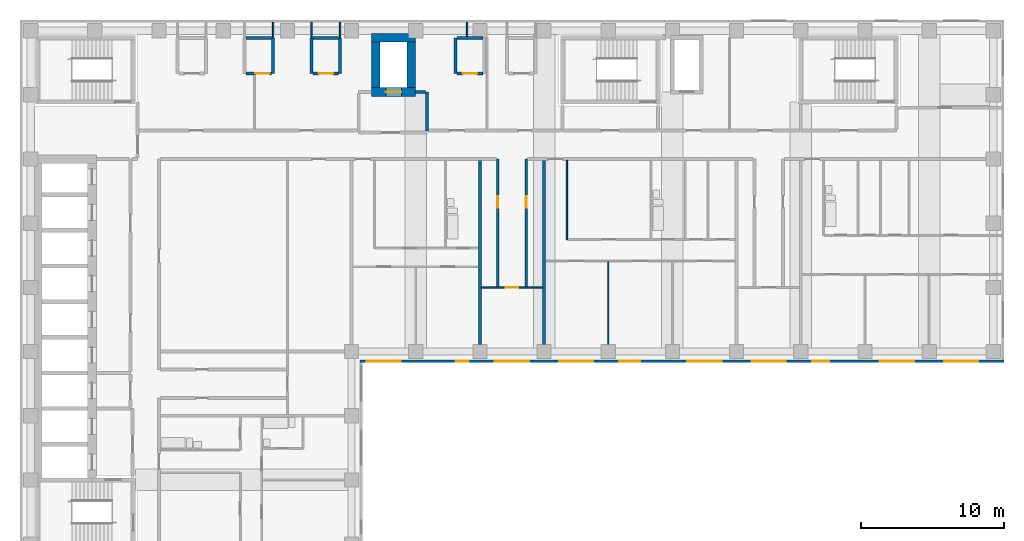
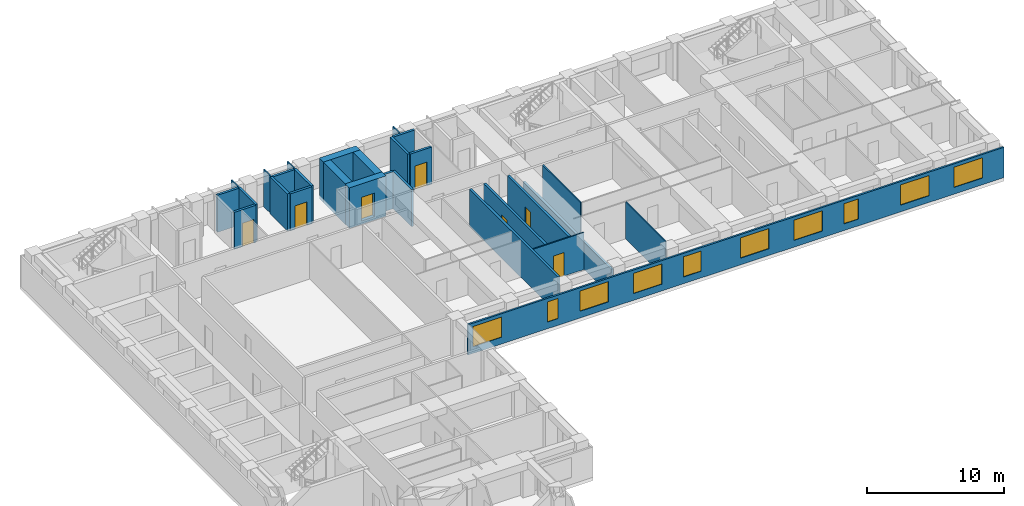
# One storey, part 6 of 12: 28 walls, 10 windows, 7 doors, 17 openings.
"""IFC4 building model written with IfcOpenShell, lengths in metres."""

import ifcopenshell
import ifcopenshell.guid

model = None  # the IFC model being written
_history = None  # IfcOwnerHistory: only IFC2X3 demands one
_inside = {}  # id of a spatial element -> (the spatial element, [elements in it])
_under = {}  # id of a project, library or spatial element -> (it, [spatial elements below it])
_declared = {}  # id of a project -> (the project, [libraries it declares])
_typed = {}  # id of a type object -> (the type object, [elements of that type])
_made_of = {}  # id of a material, layer set ... -> (it, [elements and type objects made of it])


def new_model(schema):
    """Start an empty IFC model of exactly this schema.

    Asked for "IFC4X3", IfcOpenShell would pick the latest addendum, in which some entities
    have other attributes; the version numbers below select the first issue.
    IFC2X3 requires an IfcOwnerHistory on every rooted entity: one is made here for all.
    """
    global model, _history
    if schema == "IFC4X3":
        model = ifcopenshell.file(schema_version=(4, 3, 0, 0))
    else:
        model = ifcopenshell.file(schema=schema)
    _inside.clear()
    _under.clear()
    _declared.clear()
    _typed.clear()
    _made_of.clear()
    _history = None
    if model.schema == "IFC2X3":
        org = make("IfcOrganization", Name="unknown")
        user = make(
            "IfcPersonAndOrganization",
            ThePerson=make("IfcPerson", FamilyName="unknown"),
            TheOrganization=org,
        )
        app = make(
            "IfcApplication",
            ApplicationDeveloper=org,
            Version="unknown",
            ApplicationFullName="unknown",
            ApplicationIdentifier="unknown",
        )
        _history = make(
            "IfcOwnerHistory",
            OwningUser=user,
            OwningApplication=app,
            ChangeAction="ADDED",
            CreationDate=0,
        )
    return model


def make(cls, **values):
    """One entity of the class cls with the attributes given. An attribute that is None is left unset."""
    return model.create_entity(
        cls, **{name: value for name, value in values.items() if value is not None}
    )


def rooted(cls, **values):
    """An entity with a GlobalId (a new one), such as an element, a storey or a relation."""
    return make(cls, GlobalId=ifcopenshell.guid.new(), OwnerHistory=_history, **values)


def si_unit(unit_type, name, prefix=None):
    """IfcSIUnit, for example si_unit("LENGTHUNIT", "METRE", prefix="MILLI")."""
    return make("IfcSIUnit", UnitType=unit_type, Prefix=prefix, Name=name)


def assignment(units):
    """IfcUnitAssignment: the units of a project."""
    return None if units is None else make("IfcUnitAssignment", Units=units)


def point(xyz):
    """IfcCartesianPoint."""
    return None if xyz is None else make("IfcCartesianPoint", Coordinates=xyz)


def direction(xyz):
    """IfcDirection."""
    return None if xyz is None else make("IfcDirection", DirectionRatios=xyz)


def frame(location, z_axis=None, x_axis=None):
    """IfcAxis2Placement3D, a coordinate frame: its origin and axes. An axis left out is left unset."""
    return make(
        "IfcAxis2Placement3D",
        Location=point(location),
        Axis=direction(z_axis),
        RefDirection=direction(x_axis),
    )


def frame_2d(location, x_axis=None):
    """IfcAxis2Placement2D, a coordinate frame in the plane: its origin and x axis."""
    return make(
        "IfcAxis2Placement2D", Location=point(location), RefDirection=direction(x_axis)
    )


def origin():
    """The frame at (0, 0, 0) with its axes left unset."""
    return frame((0.0, 0.0, 0.0))


def place(relative_to, where):
    """IfcLocalPlacement: puts the frame where relative to a parent placement (None: the world)."""
    return make(
        "IfcLocalPlacement", PlacementRelTo=relative_to, RelativePlacement=where
    )


def context(
    kind, dimensions, precision=None, world=None, true_north=None, identifier=None
):
    """IfcGeometricRepresentationContext, for example the 3D "Model" context."""
    return make(
        "IfcGeometricRepresentationContext",
        ContextIdentifier=identifier,
        ContextType=kind,
        CoordinateSpaceDimension=dimensions,
        Precision=precision,
        WorldCoordinateSystem=world,
        TrueNorth=true_north,
    )


def subcontext(parent, identifier, kind, view, scale=None):
    """IfcGeometricRepresentationSubContext, for example "Body" below "Model"."""
    return make(
        "IfcGeometricRepresentationSubContext",
        ContextIdentifier=identifier,
        ContextType=kind,
        ParentContext=parent,
        TargetScale=scale,
        TargetView=view,
    )


def project(units=None, contexts=None):
    """IfcProject with its units and contexts."""
    return rooted(
        "IfcProject",
        Name="project",
        RepresentationContexts=contexts,
        UnitsInContext=assignment(units),
    )


def spatial(cls, under=None, at=None, **own):
    """A site, building, storey or space (cls), placed at a placement, below another one or the project."""
    s = rooted(cls, ObjectPlacement=at, **own)
    if under is not None:
        _under.setdefault(under.id(), (under, []))[1].append(s)
    return s


def profile(cls, at=None, kind="AREA", **sizes):
    """A parametric profile (cls). Its sizes go by their IFC names, for example OverallWidth=200.0."""
    return make(cls, ProfileType=kind, Position=at, **sizes)


def rectangle(**sizes):
    """IfcRectangleProfileDef."""
    return profile("IfcRectangleProfileDef", **sizes)


def extrude(swept, where, along, depth):
    """IfcExtrudedAreaSolid: the profile swept, set in the frame where, extruded along a direction by depth."""
    return make(
        "IfcExtrudedAreaSolid",
        SweptArea=swept,
        Position=where,
        ExtrudedDirection=direction(along),
        Depth=depth,
    )


def shape(context_of_items, identifier, shape_type, items):
    """IfcShapeRepresentation: the items that make up one representation, for example the "Body"."""
    return make(
        "IfcShapeRepresentation",
        ContextOfItems=context_of_items,
        RepresentationIdentifier=identifier,
        RepresentationType=shape_type,
        Items=items,
    )


def material(Name=None, Category=None):
    """IfcMaterial."""
    return make("IfcMaterial", Name=Name, Category=Category)


def layer(
    of_material, thickness, ventilated=None, Name=None, Category=None, Priority=None
):
    """IfcMaterialLayer: one layer of a wall or slab, of a material (None: an air gap)."""
    return make(
        "IfcMaterialLayer",
        Material=of_material,
        LayerThickness=thickness,
        IsVentilated=ventilated,
        Name=Name,
        Category=Category,
        Priority=Priority,
    )


def layer_set(layers, Name=None):
    """IfcMaterialLayerSet."""
    return make("IfcMaterialLayerSet", MaterialLayers=layers, LayerSetName=Name)


def made_of(thing, what):
    """Note that an element or type object is made of a material, layer set ...; save() writes the relation."""
    if what is not None:
        _made_of.setdefault(what.id(), (what, []))[1].append(thing)
    return thing


def type_object(cls, material=None, **own):
    """A type object (cls), such as IfcWallType, which elements share."""
    return made_of(rooted(cls, **own), material)


def element(
    cls,
    number,
    at=None,
    inside=None,
    cuts=None,
    type_object=None,
    material=None,
    context=None,
    identifier="Body",
    shape_type=None,
    held_by="IfcProductDefinitionShape",
    body=None,
    shapes=None,
    **own,
):
    """One element of the class cls, such as IfcWall. Its Tag is "e" and its number.

    at: its placement. inside: the storey or other place that contains it. cuts: it is an
    opening in that element (IfcRelVoidsElement). A single representation is given by context,
    identifier, shape_type and body (its items); several are given by shapes. held_by: the class
    of the entity that holds the representations. save() writes the other relations.
    """
    e = rooted(cls, Tag="e%d" % number, ObjectPlacement=at, **own)
    if body is not None:
        shapes = [shape(context, identifier, shape_type, body)]
    if shapes is not None:
        e.Representation = make(held_by, Representations=shapes)
    if inside is not None:
        _inside.setdefault(inside.id(), (inside, []))[1].append(e)
    if cuts is not None:
        rooted(
            "IfcRelVoidsElement", RelatingBuildingElement=cuts, RelatedOpeningElement=e
        )
    if type_object is not None:
        _typed.setdefault(type_object.id(), (type_object, []))[1].append(e)
    return made_of(e, material)


def fill(opening, filler):
    """IfcRelFillsElement: the door or window that sits in an opening."""
    return rooted(
        "IfcRelFillsElement",
        RelatingOpeningElement=opening,
        RelatedBuildingElement=filler,
    )


def aggregate(whole, parts):
    """IfcRelAggregates: a whole, such as a stair, and the parts it consists of."""
    return rooted("IfcRelAggregates", RelatingObject=whole, RelatedObjects=parts)


def save(model, path):
    """Write the relations noted so far, then the file.

    IfcRelAggregates (storeys below a building ...), IfcRelContainedInSpatialStructure (elements
    in a storey), IfcRelDefinesByType, IfcRelAssociatesMaterial and IfcRelDeclares: one each for
    every whole, place, type object, material and project.
    """
    for whole, parts in _under.values():
        aggregate(whole, parts)
    for where, things in _inside.values():
        rooted(
            "IfcRelContainedInSpatialStructure",
            RelatedElements=things,
            RelatingStructure=where,
        )
    for kind, things in _typed.values():
        rooted("IfcRelDefinesByType", RelatedObjects=things, RelatingType=kind)
    for what, things in _made_of.values():
        rooted("IfcRelAssociatesMaterial", RelatedObjects=things, RelatingMaterial=what)
    for by, libraries in _declared.values():
        rooted("IfcRelDeclares", RelatingContext=by, RelatedDefinitions=libraries)
    model.write(path)


model = new_model("IFC4")

# Units and contexts
model_context = context("Model", 3, precision=1e-05, world=origin(), true_north=direction((0.0, 1.0)))
body_context = subcontext(model_context, "Body", "Model", "MODEL_VIEW")
ifc_project = project(units=[si_unit("LENGTHUNIT", "METRE"), si_unit("AREAUNIT", "SQUARE_METRE"), si_unit("VOLUMEUNIT", "CUBIC_METRE"), si_unit("PLANEANGLEUNIT", "RADIAN"), si_unit("MASSUNIT", "GRAM", prefix="KILO")], contexts=[model_context])

# Site, building, storey
site_placement = place(None, origin())
site = spatial("IfcSite", under=ifc_project, at=site_placement, CompositionType="ELEMENT")
building_placement = place(site_placement, origin())
building = spatial("IfcBuilding", under=site, at=building_placement, Name="Firuza Court", CompositionType="ELEMENT")
storey_placement = place(building_placement, frame((0.0, 0.0, 148.39990234375)))
storey = spatial("IfcBuildingStorey", under=building, at=storey_placement, Name="L37", CompositionType="ELEMENT", Elevation=148.39990234375)

# Wall, opening, door
ifc_material_1 = material(Name="Concrete C60/75", Category="concrete")
ifc_layer_1 = layer(ifc_material_1, 0.60009765625)
ifc_layer_set_1 = layer_set([ifc_layer_1], Name="Concrete C60/75")
wall_type_1 = type_object("IfcWallType", Name="Core wall 600 C60/75", PredefinedType="SHEAR", material=ifc_layer_set_1)
wall_1_placement = place(storey_placement, frame((23.89990234375, 54.199951171875, -0.2998046875), z_axis=(0.0, 0.0, 1.0), x_axis=(1.0, 0.0, 0.0)))
wall_1 = element("IfcWall", 1, at=wall_1_placement, inside=storey, type_object=wall_type_1, Name="Core wall lift shaft L37", PredefinedType="SHEAR", context=body_context, shape_type="SweptSolid", body=[
    extrude(rectangle(XDim=3.10009765625, YDim=0.60009765625, at=frame_2d((1.550048828125, 0.0))), origin(), (0.0, 0.0, 1.0), 3.599853515625),
])
opening_1_placement = place(wall_1_placement, frame((1.0, 0.0, 0.300048828125)))
opening_1 = element("IfcOpeningElement", 2, at=opening_1_placement, cuts=wall_1, Name="Opening LD-FL3-37", PredefinedType="OPENING", context=body_context, shape_type="SweptSolid", body=[
    extrude(rectangle(XDim=1.10009765625, YDim=2.10009765625, at=frame_2d((0.550048828125, 1.050048828125))), frame((0.0, 0.31201171875, 0.0), z_axis=(0.0, -1.0, 0.0), x_axis=(1.0, 0.0, 0.0)), (0.0, 0.0, 1.0), 0.6240234375),
])
ifc_material_2 = material(Name="Stainless steel 1.4301 door leaf", Category="steel")
door_type_1 = type_object("IfcDoorType", Name="Lift landing door 1100", OperationType="SLIDING_TO_LEFT", PredefinedType="DOOR", material=ifc_material_2)
door_1_placement = place(opening_1_placement, origin())
door_1 = element("IfcDoor", 3, at=door_1_placement, inside=storey, type_object=door_type_1, Name="Landing door FL3", OperationType="SLIDING_TO_LEFT", OverallHeight=2.10009765625, OverallWidth=1.10009765625, PredefinedType="DOOR", context=body_context, shape_type="SweptSolid", body=[
    extrude(rectangle(XDim=1.10009765625, YDim=2.10009765625, at=frame_2d((0.550048828125, 1.050048828125))), frame((0.0, 0.02490234375, 0.0), z_axis=(0.0, -1.0, 0.0), x_axis=(1.0, 0.0, 0.0)), (0.0, 0.0, 1.0), 0.050048828125),
])
fill(opening_1, door_1)

# Walls
wall_2_placement = place(storey_placement, frame((23.89990234375, 58.0, -0.2998046875), z_axis=(0.0, 0.0, 1.0), x_axis=(1.0, 0.0, 0.0)))
element("IfcWall", 4, at=wall_2_placement, inside=storey, type_object=wall_type_1, Name="Core wall lift shaft L37", PredefinedType="SHEAR", context=body_context, shape_type="SweptSolid", body=[
    extrude(rectangle(XDim=3.10009765625, YDim=0.60009765625, at=frame_2d((1.550048828125, 0.0))), origin(), (0.0, 0.0, 1.0), 3.599853515625),
])
for number, where, z_axis, x_axis, name in (
    (5, (24.199951171875, 54.5, -0.2998046875), (0.0, 0.0, 1.0), (0.0, 1.0, 0.0), "Core wall lift shaft L37"),
    (6, (26.699951171875, 54.5, -0.2998046875), (0.0, 0.0, 1.0), (0.0, 1.0, 0.0), "Core wall lift shaft L37"),
):
    element("IfcWall", number, at=place(storey_placement, frame(where, z_axis=z_axis, x_axis=x_axis)), inside=storey, type_object=wall_type_1, Name=name, PredefinedType="SHEAR", context=body_context, shape_type="SweptSolid", body=[
        extrude(rectangle(XDim=3.199951171875, YDim=0.60009765625, at=frame_2d((1.60009765625, 0.0))), origin(), (0.0, 0.0, 1.0), 3.599853515625),
    ])

# Wall, opening, door
ifc_material_3 = material(Name="Blockwork, plastered both sides", Category="masonry")
ifc_layer_2 = layer(ifc_material_3, 0.199951171875)
ifc_layer_set_2 = layer_set([ifc_layer_2], Name="Blockwork, plastered both sides")
wall_type_2 = type_object("IfcWallType", Name="Corridor wall 200", PredefinedType="PARTITIONING", material=ifc_layer_set_2)
wall_3_placement = place(storey_placement, frame((32.75, 40.550048828125, 0.0), z_axis=(0.0, 0.0, 1.0), x_axis=(0.0, 1.0, 0.0)))
wall_3 = element("IfcWall", 7, at=wall_3_placement, inside=storey, type_object=wall_type_2, Name="Corridor wall 200 L37", PredefinedType="PARTITIONING", context=body_context, shape_type="SweptSolid", body=[
    extrude(rectangle(XDim=8.949951171875, YDim=0.199951171875, at=frame_2d((4.47509765625, 0.0))), origin(), (0.0, 0.0, 1.0), 3.300048828125),
])
opening_2_placement = place(wall_3_placement, frame((5.550048828125, 0.0, 0.0)))
opening_2 = element("IfcOpeningElement", 8, at=opening_2_placement, cuts=wall_3, Name="Opening D37044", PredefinedType="OPENING", context=body_context, shape_type="SweptSolid", body=[
    extrude(rectangle(XDim=0.800048828125, YDim=2.10009765625, at=frame_2d((0.39990234375, 1.050048828125))), frame((0.0, 0.11181640625, 0.0), z_axis=(0.0, -1.0, 0.0), x_axis=(1.0, 0.0, 0.0)), (0.0, 0.0, 1.0), 0.223876953125),
])
ifc_material_4 = material(Name="Timber door leaf in hardwood frame", Category="wood")
door_type_2 = type_object("IfcDoorType", Name="Room door 800 EI 30", OperationType="SINGLE_SWING_LEFT", PredefinedType="DOOR", material=ifc_material_4)
door_2_placement = place(opening_2_placement, origin())
door_2 = element("IfcDoor", 9, at=door_2_placement, inside=storey, type_object=door_type_2, Name="Store door", OperationType="SINGLE_SWING_RIGHT", OverallHeight=2.10009765625, OverallWidth=0.800048828125, PredefinedType="DOOR", context=body_context, shape_type="SweptSolid", body=[
    extrude(rectangle(XDim=0.800048828125, YDim=2.10009765625, at=frame_2d((0.39990234375, 1.050048828125))), frame((0.0, 0.02490234375, 0.0), z_axis=(0.0, -1.0, 0.0), x_axis=(1.0, 0.0, 0.0)), (0.0, 0.0, 1.0), 0.050048828125),
])
fill(opening_2, door_2)

wall_4_placement = place(storey_placement, frame((34.75, 40.550048828125, 0.0), z_axis=(0.0, 0.0, 1.0), x_axis=(0.0, 1.0, 0.0)))
wall_4 = element("IfcWall", 10, at=wall_4_placement, inside=storey, type_object=wall_type_2, Name="Corridor wall 200 L37", PredefinedType="PARTITIONING", context=body_context, shape_type="SweptSolid", body=[
    extrude(rectangle(XDim=8.949951171875, YDim=0.199951171875, at=frame_2d((4.47509765625, 0.0))), origin(), (0.0, 0.0, 1.0), 3.300048828125),
])
opening_3_placement = place(wall_4_placement, frame((5.550048828125, 0.0, 0.0)))
opening_3 = element("IfcOpeningElement", 11, at=opening_3_placement, cuts=wall_4, Name="Opening D37045", PredefinedType="OPENING", context=body_context, shape_type="SweptSolid", body=[
    extrude(rectangle(XDim=0.800048828125, YDim=2.10009765625, at=frame_2d((0.39990234375, 1.050048828125))), frame((0.0, 0.11181640625, 0.0), z_axis=(0.0, -1.0, 0.0), x_axis=(1.0, 0.0, 0.0)), (0.0, 0.0, 1.0), 0.223876953125),
])
door_3_placement = place(opening_3_placement, frame((0.800048828125, 0.0, 0.0), z_axis=(0.0, 0.0, 1.0), x_axis=(-1.0, 0.0, 0.0)))
door_3 = element("IfcDoor", 12, at=door_3_placement, inside=storey, type_object=door_type_2, Name="Store door", OperationType="SINGLE_SWING_LEFT", OverallHeight=2.10009765625, OverallWidth=0.800048828125, PredefinedType="DOOR", context=body_context, shape_type="SweptSolid", body=[
    extrude(rectangle(XDim=0.800048828125, YDim=2.10009765625, at=frame_2d((0.39990234375, 1.050048828125))), frame((0.0, 0.02490234375, 0.0), z_axis=(0.0, -1.0, 0.0), x_axis=(1.0, 0.0, 0.0)), (0.0, 0.0, 1.0), 0.050048828125),
])
fill(opening_3, door_3)

# Wall
ifc_material_5 = material(Name="Timber stud partition, plasterboard both sides", Category="wood")
ifc_layer_3 = layer(ifc_material_5, 0.10009765625)
ifc_layer_set_3 = layer_set([ifc_layer_3], Name="Timber stud partition, plasterboard both sides")
wall_type_3 = type_object("IfcWallType", Name="Partition wall 100", PredefinedType="PARTITIONING", material=ifc_layer_set_3)
wall_5_placement = place(storey_placement, frame((40.5, 36.5, 0.0), z_axis=(0.0, 0.0, 1.0), x_axis=(0.0, 1.0, 0.0)))
element("IfcWall", 13, at=wall_5_placement, inside=storey, type_object=wall_type_3, Name="Partition wall 100 L37", PredefinedType="PARTITIONING", context=body_context, shape_type="SweptSolid", body=[
    extrude(rectangle(XDim=5.800048828125, YDim=0.10009765625, at=frame_2d((2.89990234375, 0.0))), origin(), (0.0, 0.0, 1.0), 3.300048828125),
])

# Wall, opening, door
wall_6_placement = place(storey_placement, frame((31.60009765625, 40.5, 0.0), z_axis=(0.0, 0.0, 1.0), x_axis=(1.0, 0.0, 0.0)))
wall_6 = element("IfcWall", 14, at=wall_6_placement, inside=storey, type_object=wall_type_3, Name="Partition wall 100 L37", PredefinedType="PARTITIONING", context=body_context, shape_type="SweptSolid", body=[
    extrude(rectangle(XDim=4.2998046875, YDim=0.10009765625, at=frame_2d((2.14990234375, 0.0))), origin(), (0.0, 0.0, 1.0), 3.300048828125),
])
opening_4_placement = place(wall_6_placement, frame((1.699951171875, 0.0, 0.0)))
opening_4 = element("IfcOpeningElement", 15, at=opening_4_placement, cuts=wall_6, Name="Opening D37042", PredefinedType="OPENING", context=body_context, shape_type="SweptSolid", body=[
    extrude(rectangle(XDim=0.89990234375, YDim=2.10009765625, at=frame_2d((0.449951171875, 1.050048828125))), frame((0.0, 0.06201171875, 0.0), z_axis=(0.0, -1.0, 0.0), x_axis=(1.0, 0.0, 0.0)), (0.0, 0.0, 1.0), 0.1240234375),
])
ifc_material_6 = material(Name="Timber door leaf in hardwood frame", Category="wood")
door_type_3 = type_object("IfcDoorType", Name="Room door 900", OperationType="SINGLE_SWING_LEFT", PredefinedType="DOOR", material=ifc_material_6)
door_4_placement = place(opening_4_placement, origin())
door_4 = element("IfcDoor", 16, at=door_4_placement, inside=storey, type_object=door_type_3, Name="Games lounge door", OperationType="SINGLE_SWING_LEFT", OverallHeight=2.10009765625, OverallWidth=0.89990234375, PredefinedType="DOOR", context=body_context, shape_type="SweptSolid", body=[
    extrude(rectangle(XDim=0.89990234375, YDim=2.10009765625, at=frame_2d((0.449951171875, 1.050048828125))), frame((0.0, 0.02490234375, 0.0), z_axis=(0.0, -1.0, 0.0), x_axis=(1.0, 0.0, 0.0)), (0.0, 0.0, 1.0), 0.050048828125),
])
fill(opening_4, door_4)

# Walls
wall_7_placement = place(storey_placement, frame((37.60009765625, 43.85009765625, 0.0), z_axis=(0.0, 0.0, 1.0), x_axis=(0.0, 1.0, 0.0)))
element("IfcWall", 17, at=wall_7_placement, inside=storey, type_object=wall_type_3, Name="Partition wall 100 L37", PredefinedType="PARTITIONING", context=body_context, shape_type="SweptSolid", body=[
    extrude(rectangle(XDim=5.5498046875, YDim=0.10009765625, at=frame_2d((2.77490234375, 0.0))), origin(), (0.0, 0.0, 1.0), 3.300048828125),
])
for number, where, z_axis, x_axis, name in (
    (18, (17.0, 58.0, 0.0), (0.0, 0.0, 1.0), (0.0, 1.0, 0.0), "Partition wall 100 L37"),
    (19, (19.699951171875, 58.0, 0.0), (0.0, 0.0, 1.0), (0.0, 1.0, 0.0), "Partition wall 100 L37"),
    (20, (21.699951171875, 58.0, 0.0), (0.0, 0.0, 1.0), (0.0, 1.0, 0.0), "Partition wall 100 L37"),
):
    element("IfcWall", number, at=place(storey_placement, frame(where, z_axis=z_axis, x_axis=x_axis)), inside=storey, type_object=wall_type_3, Name=name, PredefinedType="PARTITIONING", context=body_context, shape_type="SweptSolid", body=[
        extrude(rectangle(XDim=1.10009765625, YDim=0.10009765625, at=frame_2d((0.550048828125, 0.0))), origin(), (0.0, 0.0, 1.0), 3.300048828125),
    ])
wall_8_placement = place(storey_placement, frame((30.60009765625, 58.10009765625, 0.0), z_axis=(0.0, 0.0, 1.0), x_axis=(0.0, 1.0, 0.0)))
element("IfcWall", 21, at=wall_8_placement, inside=storey, type_object=wall_type_3, Name="Partition wall 100 L37", PredefinedType="PARTITIONING", context=body_context, shape_type="SweptSolid", body=[
    extrude(rectangle(XDim=1.0, YDim=0.10009765625, at=frame_2d((0.5, 0.0))), origin(), (0.0, 0.0, 1.0), 3.300048828125),
])
ifc_layer_4 = layer(ifc_material_3, 0.199951171875)
ifc_layer_set_4 = layer_set([ifc_layer_4], Name="Blockwork, plastered both sides")
wall_type_4 = type_object("IfcWallType", Name="Party wall 200", PredefinedType="PARTITIONING", material=ifc_layer_set_4)
wall_9_placement = place(storey_placement, frame((31.5, 36.5, 0.0), z_axis=(0.0, 0.0, 1.0), x_axis=(0.0, 1.0, 0.0)))
element("IfcWall", 22, at=wall_9_placement, inside=storey, type_object=wall_type_4, Name="Party wall 200 L37", PredefinedType="PARTITIONING", context=body_context, shape_type="SweptSolid", body=[
    extrude(rectangle(XDim=12.89990234375, YDim=0.199951171875, at=frame_2d((6.449951171875, 0.0))), origin(), (0.0, 0.0, 1.0), 3.300048828125),
])
wall_10_placement = place(storey_placement, frame((36.0, 36.5, 0.0), z_axis=(0.0, 0.0, 1.0), x_axis=(0.0, 1.0, 0.0)))
element("IfcWall", 23, at=wall_10_placement, inside=storey, type_object=wall_type_4, Name="Party wall 200 L37", PredefinedType="PARTITIONING", context=body_context, shape_type="SweptSolid", body=[
    extrude(rectangle(XDim=12.89990234375, YDim=0.199951171875, at=frame_2d((6.449951171875, 0.0))), origin(), (0.0, 0.0, 1.0), 2.400146484375),
])

# Wall, opening, door
ifc_material_7 = material(Name="Blockwork, fire-rated", Category="masonry")
ifc_layer_5 = layer(ifc_material_7, 0.199951171875)
ifc_layer_set_5 = layer_set([ifc_layer_5], Name="Blockwork, fire-rated")
wall_type_5 = type_object("IfcWallType", Name="Plant room wall 200", PredefinedType="PARTITIONING", material=ifc_layer_set_5)
wall_11_placement = place(storey_placement, frame((15.10009765625, 55.5, 0.0), z_axis=(0.0, 0.0, 1.0), x_axis=(1.0, 0.0, 0.0)))
wall_11 = element("IfcWall", 24, at=wall_11_placement, inside=storey, type_object=wall_type_5, Name="Plant room wall 200 L37", PredefinedType="PARTITIONING", context=body_context, shape_type="SweptSolid", body=[
    extrude(rectangle(XDim=1.7998046875, YDim=0.199951171875, at=frame_2d((0.89990234375, 0.0))), origin(), (0.0, 0.0, 1.0), 3.300048828125),
])
opening_5_placement = place(wall_11_placement, frame((0.64990234375, 0.0, 0.0)))
opening_5 = element("IfcOpeningElement", 25, at=opening_5_placement, cuts=wall_11, Name="Opening D37078", PredefinedType="OPENING", context=body_context, shape_type="SweptSolid", body=[
    extrude(rectangle(XDim=1.0, YDim=2.10009765625, at=frame_2d((0.5, 1.050048828125))), frame((0.0, 0.11181640625, 0.0), z_axis=(0.0, -1.0, 0.0), x_axis=(1.0, 0.0, 0.0)), (0.0, 0.0, 1.0), 0.223876953125),
])
ifc_material_8 = material(Name="Timber door leaf in hardwood frame", Category="wood")
door_type_4 = type_object("IfcDoorType", Name="Riser door 1000", OperationType="SINGLE_SWING_LEFT", PredefinedType="DOOR", material=ifc_material_8)
door_5_placement = place(opening_5_placement, origin())
door_5 = element("IfcDoor", 26, at=door_5_placement, inside=storey, type_object=door_type_4, Name="Electrical riser door", OperationType="SINGLE_SWING_RIGHT", OverallHeight=2.10009765625, OverallWidth=1.0, PredefinedType="DOOR", context=body_context, shape_type="SweptSolid", body=[
    extrude(rectangle(XDim=1.0, YDim=2.10009765625, at=frame_2d((0.5, 1.050048828125))), frame((0.0, 0.02490234375, 0.0), z_axis=(0.0, -1.0, 0.0), x_axis=(1.0, 0.0, 0.0)), (0.0, 0.0, 1.0), 0.050048828125),
])
fill(opening_5, door_5)

# Walls
for number, where, z_axis, x_axis, name in (
    (27, (17.0, 55.5, 0.0), (0.0, 0.0, 1.0), (0.0, 1.0, 0.0), "Plant room wall 200 L37"),
    (28, (19.699951171875, 55.5, 0.0), (0.0, 0.0, 1.0), (0.0, 1.0, 0.0), "Plant room wall 200 L37"),
):
    element("IfcWall", number, at=place(storey_placement, frame(where, z_axis=z_axis, x_axis=x_axis)), inside=storey, type_object=wall_type_5, Name=name, PredefinedType="PARTITIONING", context=body_context, shape_type="SweptSolid", body=[
        extrude(rectangle(XDim=2.5, YDim=0.199951171875, at=frame_2d((1.25, 0.0))), origin(), (0.0, 0.0, 1.0), 3.300048828125),
    ])

# Wall, opening, door
wall_12_placement = place(storey_placement, frame((19.800048828125, 55.5, 0.0), z_axis=(0.0, 0.0, 1.0), x_axis=(1.0, 0.0, 0.0)))
wall_12 = element("IfcWall", 29, at=wall_12_placement, inside=storey, type_object=wall_type_5, Name="Plant room wall 200 L37", PredefinedType="PARTITIONING", context=body_context, shape_type="SweptSolid", body=[
    extrude(rectangle(XDim=1.800048828125, YDim=0.199951171875, at=frame_2d((0.89990234375, 0.0))), origin(), (0.0, 0.0, 1.0), 3.300048828125),
])
opening_6_placement = place(wall_12_placement, frame((0.39990234375, 0.0, 0.0)))
opening_6 = element("IfcOpeningElement", 30, at=opening_6_placement, cuts=wall_12, Name="Opening D37079", PredefinedType="OPENING", context=body_context, shape_type="SweptSolid", body=[
    extrude(rectangle(XDim=1.0, YDim=2.10009765625, at=frame_2d((0.5, 1.050048828125))), frame((0.0, 0.11181640625, 0.0), z_axis=(0.0, -1.0, 0.0), x_axis=(1.0, 0.0, 0.0)), (0.0, 0.0, 1.0), 0.223876953125),
])
door_6_placement = place(opening_6_placement, origin())
door_6 = element("IfcDoor", 31, at=door_6_placement, inside=storey, type_object=door_type_4, Name="Duct riser door", OperationType="SINGLE_SWING_LEFT", OverallHeight=2.10009765625, OverallWidth=1.0, PredefinedType="DOOR", context=body_context, shape_type="SweptSolid", body=[
    extrude(rectangle(XDim=1.0, YDim=2.10009765625, at=frame_2d((0.5, 1.050048828125))), frame((0.0, 0.02490234375, 0.0), z_axis=(0.0, -1.0, 0.0), x_axis=(1.0, 0.0, 0.0)), (0.0, 0.0, 1.0), 0.050048828125),
])
fill(opening_6, door_6)

# Walls
for number, where, z_axis, x_axis, name in (
    (32, (21.699951171875, 55.5, 0.0), (0.0, 0.0, 1.0), (0.0, 1.0, 0.0), "Plant room wall 200 L37"),
    (33, (29.800048828125, 55.5, 0.0), (0.0, 0.0, 1.0), (0.0, 1.0, 0.0), "Plant room wall 200 L37"),
):
    element("IfcWall", number, at=place(storey_placement, frame(where, z_axis=z_axis, x_axis=x_axis)), inside=storey, type_object=wall_type_5, Name=name, PredefinedType="PARTITIONING", context=body_context, shape_type="SweptSolid", body=[
        extrude(rectangle(XDim=2.5, YDim=0.199951171875, at=frame_2d((1.25, 0.0))), origin(), (0.0, 0.0, 1.0), 3.300048828125),
    ])

# Wall, opening, door
wall_13_placement = place(storey_placement, frame((29.89990234375, 55.5, 0.0), z_axis=(0.0, 0.0, 1.0), x_axis=(1.0, 0.0, 0.0)))
wall_13 = element("IfcWall", 34, at=wall_13_placement, inside=storey, type_object=wall_type_5, Name="Plant room wall 200 L37", PredefinedType="PARTITIONING", context=body_context, shape_type="SweptSolid", body=[
    extrude(rectangle(XDim=1.800048828125, YDim=0.199951171875, at=frame_2d((0.89990234375, 0.0))), origin(), (0.0, 0.0, 1.0), 3.300048828125),
])
opening_7_placement = place(wall_13_placement, frame((0.39990234375, 0.0, 0.0)))
opening_7 = element("IfcOpeningElement", 35, at=opening_7_placement, cuts=wall_13, Name="Opening D37080", PredefinedType="OPENING", context=body_context, shape_type="SweptSolid", body=[
    extrude(rectangle(XDim=1.0, YDim=2.10009765625, at=frame_2d((0.5, 1.050048828125))), frame((0.0, 0.11181640625, 0.0), z_axis=(0.0, -1.0, 0.0), x_axis=(1.0, 0.0, 0.0)), (0.0, 0.0, 1.0), 0.223876953125),
])
door_7_placement = place(opening_7_placement, origin())
door_7 = element("IfcDoor", 36, at=door_7_placement, inside=storey, type_object=door_type_4, Name="Electrical riser door", OperationType="SINGLE_SWING_LEFT", OverallHeight=2.10009765625, OverallWidth=1.0, PredefinedType="DOOR", context=body_context, shape_type="SweptSolid", body=[
    extrude(rectangle(XDim=1.0, YDim=2.10009765625, at=frame_2d((0.5, 1.050048828125))), frame((0.0, 0.02490234375, 0.0), z_axis=(0.0, -1.0, 0.0), x_axis=(1.0, 0.0, 0.0)), (0.0, 0.0, 1.0), 0.050048828125),
])
fill(opening_7, door_7)

# Walls
wall_14_placement = place(storey_placement, frame((15.10009765625, 58.0, 0.0), z_axis=(0.0, 0.0, 1.0), x_axis=(1.0, 0.0, 0.0)))
element("IfcWall", 37, at=wall_14_placement, inside=storey, type_object=wall_type_5, Name="Plant room wall 200 L37", PredefinedType="PARTITIONING", context=body_context, shape_type="SweptSolid", body=[
    extrude(rectangle(XDim=1.7998046875, YDim=0.199951171875, at=frame_2d((0.89990234375, 0.0))), origin(), (0.0, 0.0, 1.0), 3.300048828125),
])
for number, where, z_axis, x_axis, name in (
    (38, (19.800048828125, 58.0, 0.0), (0.0, 0.0, 1.0), (1.0, 0.0, 0.0), "Plant room wall 200 L37"),
    (39, (29.89990234375, 58.0, 0.0), (0.0, 0.0, 1.0), (1.0, 0.0, 0.0), "Plant room wall 200 L37"),
):
    element("IfcWall", number, at=place(storey_placement, frame(where, z_axis=z_axis, x_axis=x_axis)), inside=storey, type_object=wall_type_5, Name=name, PredefinedType="PARTITIONING", context=body_context, shape_type="SweptSolid", body=[
        extrude(rectangle(XDim=1.800048828125, YDim=0.199951171875, at=frame_2d((0.89990234375, 0.0))), origin(), (0.0, 0.0, 1.0), 3.300048828125),
    ])

# Wall, openings, windows
ifc_material_9 = material(Name="Ceramic tile", Category="ceramic")
ifc_layer_6 = layer(ifc_material_9, 0.02001953125)
ifc_material_10 = material(Name="Mineral wool insulation", Category="insulation")
ifc_layer_7 = layer(ifc_material_10, 0.050048828125)
ifc_material_11 = material(Name="Concrete C40/50 precast", Category="concrete")
ifc_layer_8 = layer(ifc_material_11, 0.080078125)
ifc_layer_set_6 = layer_set([ifc_layer_6, ifc_layer_7, ifc_layer_8], Name="Concrete C40/50 precast")
wall_type_6 = type_object("IfcWallType", Name="Precast cladding wall with turquoise TILE PANEL face 150", PredefinedType="STANDARD", material=ifc_layer_set_6)
wall_15_placement = place(storey_placement, frame((23.10009765625, 35.324951171875, 0.0), z_axis=(0.0, 0.0, 1.0), x_axis=(1.0, 0.0, 0.0)))
wall_15 = element("IfcWall", 40, at=wall_15_placement, inside=storey, type_object=wall_type_6, Name="Facade wall L37 S", PredefinedType="STANDARD", context=body_context, shape_type="SweptSolid", body=[
    extrude(rectangle(XDim=45.14990234375, YDim=0.14990234375, at=frame_2d((22.574951171875, 0.0))), origin(), (0.0, 0.0, 1.0), 2.7001953125),
])
opening_8_placement = place(wall_15_placement, frame((0.449951171875, 0.0, 0.60009765625)))
opening_8 = element("IfcOpeningElement", 41, at=opening_8_placement, cuts=wall_15, Name="Opening W1", PredefinedType="OPENING", context=body_context, shape_type="SweptSolid", body=[
    extrude(rectangle(XDim=2.39990234375, YDim=1.800048828125, at=frame_2d((1.199951171875, 0.89990234375))), frame((0.0, 0.0869140625, 0.0), z_axis=(0.0, -1.0, 0.0), x_axis=(1.0, 0.0, 0.0)), (0.0, 0.0, 1.0), 0.173828125),
])
opening_9_placement = place(wall_15_placement, frame((6.7109375, 0.0, 0.60009765625)))
opening_9 = element("IfcOpeningElement", 42, at=opening_9_placement, cuts=wall_15, Name="Opening W3", PredefinedType="OPENING", context=body_context, shape_type="SweptSolid", body=[
    extrude(rectangle(XDim=0.89990234375, YDim=1.800048828125, at=frame_2d((0.449951171875, 0.89990234375))), frame((0.0, 0.0869140625, 0.0), z_axis=(0.0, -1.0, 0.0), x_axis=(1.0, 0.0, 0.0)), (0.0, 0.0, 1.0), 0.173828125),
])
opening_10_placement = place(wall_15_placement, frame((9.449951171875, 0.0, 0.60009765625)))
opening_10 = element("IfcOpeningElement", 43, at=opening_10_placement, cuts=wall_15, Name="Opening W1", PredefinedType="OPENING", context=body_context, shape_type="SweptSolid", body=[
    extrude(rectangle(XDim=2.39990234375, YDim=1.800048828125, at=frame_2d((1.199951171875, 0.89990234375))), frame((0.0, 0.0869140625, 0.0), z_axis=(0.0, -1.0, 0.0), x_axis=(1.0, 0.0, 0.0)), (0.0, 0.0, 1.0), 0.173828125),
])
opening_11_placement = place(wall_15_placement, frame((13.949951171875, 0.0, 0.60009765625)))
opening_11 = element("IfcOpeningElement", 44, at=opening_11_placement, cuts=wall_15, Name="Opening W1", PredefinedType="OPENING", context=body_context, shape_type="SweptSolid", body=[
    extrude(rectangle(XDim=2.39990234375, YDim=1.800048828125, at=frame_2d((1.199951171875, 0.89990234375))), frame((0.0, 0.0869140625, 0.0), z_axis=(0.0, -1.0, 0.0), x_axis=(1.0, 0.0, 0.0)), (0.0, 0.0, 1.0), 0.173828125),
])
opening_12_placement = place(wall_15_placement, frame((18.1533203125, 0.0, 0.60009765625)))
opening_12 = element("IfcOpeningElement", 45, at=opening_12_placement, cuts=wall_15, Name="Opening W2", PredefinedType="OPENING", context=body_context, shape_type="SweptSolid", body=[
    extrude(rectangle(XDim=1.5, YDim=1.800048828125, at=frame_2d((0.75, 0.89990234375))), frame((0.0, 0.0869140625, 0.0), z_axis=(0.0, -1.0, 0.0), x_axis=(1.0, 0.0, 0.0)), (0.0, 0.0, 1.0), 0.173828125),
])
opening_13_placement = place(wall_15_placement, frame((22.949951171875, 0.0, 0.60009765625)))
opening_13 = element("IfcOpeningElement", 46, at=opening_13_placement, cuts=wall_15, Name="Opening W1", PredefinedType="OPENING", context=body_context, shape_type="SweptSolid", body=[
    extrude(rectangle(XDim=2.39990234375, YDim=1.800048828125, at=frame_2d((1.199951171875, 0.89990234375))), frame((0.0, 0.0869140625, 0.0), z_axis=(0.0, -1.0, 0.0), x_axis=(1.0, 0.0, 0.0)), (0.0, 0.0, 1.0), 0.173828125),
])
opening_14_placement = place(wall_15_placement, frame((27.449951171875, 0.0, 0.60009765625)))
opening_14 = element("IfcOpeningElement", 47, at=opening_14_placement, cuts=wall_15, Name="Opening W1", PredefinedType="OPENING", context=body_context, shape_type="SweptSolid", body=[
    extrude(rectangle(XDim=2.39990234375, YDim=1.800048828125, at=frame_2d((1.199951171875, 0.89990234375))), frame((0.0, 0.0869140625, 0.0), z_axis=(0.0, -1.0, 0.0), x_axis=(1.0, 0.0, 0.0)), (0.0, 0.0, 1.0), 0.173828125),
])
opening_15_placement = place(wall_15_placement, frame((31.688720703125, 0.0, 0.60009765625)))
opening_15 = element("IfcOpeningElement", 48, at=opening_15_placement, cuts=wall_15, Name="Opening W8", PredefinedType="OPENING", context=body_context, shape_type="SweptSolid", body=[
    extrude(rectangle(XDim=1.199951171875, YDim=1.800048828125, at=frame_2d((0.60009765625, 0.89990234375))), frame((0.0, 0.0869140625, 0.0), z_axis=(0.0, -1.0, 0.0), x_axis=(1.0, 0.0, 0.0)), (0.0, 0.0, 1.0), 0.173828125),
])
opening_16_placement = place(wall_15_placement, frame((36.449951171875, 0.0, 0.60009765625)))
opening_16 = element("IfcOpeningElement", 49, at=opening_16_placement, cuts=wall_15, Name="Opening W1", PredefinedType="OPENING", context=body_context, shape_type="SweptSolid", body=[
    extrude(rectangle(XDim=2.39990234375, YDim=1.800048828125, at=frame_2d((1.199951171875, 0.89990234375))), frame((0.0, 0.0869140625, 0.0), z_axis=(0.0, -1.0, 0.0), x_axis=(1.0, 0.0, 0.0)), (0.0, 0.0, 1.0), 0.173828125),
])
opening_17_placement = place(wall_15_placement, frame((40.949951171875, 0.0, 0.60009765625)))
opening_17 = element("IfcOpeningElement", 50, at=opening_17_placement, cuts=wall_15, Name="Opening W1", PredefinedType="OPENING", context=body_context, shape_type="SweptSolid", body=[
    extrude(rectangle(XDim=2.39990234375, YDim=1.800048828125, at=frame_2d((1.199951171875, 0.89990234375))), frame((0.0, 0.0869140625, 0.0), z_axis=(0.0, -1.0, 0.0), x_axis=(1.0, 0.0, 0.0)), (0.0, 0.0, 1.0), 0.173828125),
])
ifc_material_12 = material(Name="Aluminium frame, triple clear glazing", Category="aluminium")
window_type_1 = type_object("IfcWindowType", Name="Window W1 2400 x 1800", PartitioningType="SINGLE_PANEL", PredefinedType="WINDOW", material=ifc_material_12)
window_1_placement = place(opening_8_placement, origin())
window_1 = element("IfcWindow", 51, at=window_1_placement, inside=storey, type_object=window_type_1, Name="Window L37", OverallHeight=1.800048828125, OverallWidth=2.39990234375, PartitioningType="SINGLE_PANEL", PredefinedType="WINDOW", context=body_context, shape_type="SweptSolid", body=[
    extrude(rectangle(XDim=2.39990234375, YDim=1.800048828125, at=frame_2d((1.199951171875, 0.89990234375))), frame((0.0, 0.030029296875, 0.0), z_axis=(0.0, -1.0, 0.0), x_axis=(1.0, 0.0, 0.0)), (0.0, 0.0, 1.0), 0.06005859375),
])
fill(opening_8, window_1)
window_2_placement = place(opening_10_placement, origin())
window_2 = element("IfcWindow", 52, at=window_2_placement, inside=storey, type_object=window_type_1, Name="Window L37", OverallHeight=1.800048828125, OverallWidth=2.39990234375, PartitioningType="SINGLE_PANEL", PredefinedType="WINDOW", context=body_context, shape_type="SweptSolid", body=[
    extrude(rectangle(XDim=2.39990234375, YDim=1.800048828125, at=frame_2d((1.199951171875, 0.89990234375))), frame((0.0, 0.030029296875, 0.0), z_axis=(0.0, -1.0, 0.0), x_axis=(1.0, 0.0, 0.0)), (0.0, 0.0, 1.0), 0.06005859375),
])
fill(opening_10, window_2)
window_3_placement = place(opening_11_placement, origin())
window_3 = element("IfcWindow", 53, at=window_3_placement, inside=storey, type_object=window_type_1, Name="Window L37", OverallHeight=1.800048828125, OverallWidth=2.39990234375, PartitioningType="SINGLE_PANEL", PredefinedType="WINDOW", context=body_context, shape_type="SweptSolid", body=[
    extrude(rectangle(XDim=2.39990234375, YDim=1.800048828125, at=frame_2d((1.199951171875, 0.89990234375))), frame((0.0, 0.030029296875, 0.0), z_axis=(0.0, -1.0, 0.0), x_axis=(1.0, 0.0, 0.0)), (0.0, 0.0, 1.0), 0.06005859375),
])
fill(opening_11, window_3)
window_4_placement = place(opening_13_placement, origin())
window_4 = element("IfcWindow", 54, at=window_4_placement, inside=storey, type_object=window_type_1, Name="Window L37", OverallHeight=1.800048828125, OverallWidth=2.39990234375, PartitioningType="SINGLE_PANEL", PredefinedType="WINDOW", context=body_context, shape_type="SweptSolid", body=[
    extrude(rectangle(XDim=2.39990234375, YDim=1.800048828125, at=frame_2d((1.199951171875, 0.89990234375))), frame((0.0, 0.030029296875, 0.0), z_axis=(0.0, -1.0, 0.0), x_axis=(1.0, 0.0, 0.0)), (0.0, 0.0, 1.0), 0.06005859375),
])
fill(opening_13, window_4)
window_5_placement = place(opening_14_placement, origin())
window_5 = element("IfcWindow", 55, at=window_5_placement, inside=storey, type_object=window_type_1, Name="Window L37", OverallHeight=1.800048828125, OverallWidth=2.39990234375, PartitioningType="SINGLE_PANEL", PredefinedType="WINDOW", context=body_context, shape_type="SweptSolid", body=[
    extrude(rectangle(XDim=2.39990234375, YDim=1.800048828125, at=frame_2d((1.199951171875, 0.89990234375))), frame((0.0, 0.030029296875, 0.0), z_axis=(0.0, -1.0, 0.0), x_axis=(1.0, 0.0, 0.0)), (0.0, 0.0, 1.0), 0.06005859375),
])
fill(opening_14, window_5)
window_6_placement = place(opening_16_placement, origin())
window_6 = element("IfcWindow", 56, at=window_6_placement, inside=storey, type_object=window_type_1, Name="Window L37", OverallHeight=1.800048828125, OverallWidth=2.39990234375, PartitioningType="SINGLE_PANEL", PredefinedType="WINDOW", context=body_context, shape_type="SweptSolid", body=[
    extrude(rectangle(XDim=2.39990234375, YDim=1.800048828125, at=frame_2d((1.199951171875, 0.89990234375))), frame((0.0, 0.030029296875, 0.0), z_axis=(0.0, -1.0, 0.0), x_axis=(1.0, 0.0, 0.0)), (0.0, 0.0, 1.0), 0.06005859375),
])
fill(opening_16, window_6)
window_7_placement = place(opening_17_placement, origin())
window_7 = element("IfcWindow", 57, at=window_7_placement, inside=storey, type_object=window_type_1, Name="Window L37", OverallHeight=1.800048828125, OverallWidth=2.39990234375, PartitioningType="SINGLE_PANEL", PredefinedType="WINDOW", context=body_context, shape_type="SweptSolid", body=[
    extrude(rectangle(XDim=2.39990234375, YDim=1.800048828125, at=frame_2d((1.199951171875, 0.89990234375))), frame((0.0, 0.030029296875, 0.0), z_axis=(0.0, -1.0, 0.0), x_axis=(1.0, 0.0, 0.0)), (0.0, 0.0, 1.0), 0.06005859375),
])
fill(opening_17, window_7)
ifc_material_13 = material(Name="Aluminium frame, triple clear glazing", Category="aluminium")
window_type_2 = type_object("IfcWindowType", Name="Window W2 1500 x 1800", PartitioningType="SINGLE_PANEL", PredefinedType="WINDOW", material=ifc_material_13)
window_8_placement = place(opening_12_placement, origin())
window_8 = element("IfcWindow", 58, at=window_8_placement, inside=storey, type_object=window_type_2, Name="Window L37", OverallHeight=1.800048828125, OverallWidth=1.5, PartitioningType="SINGLE_PANEL", PredefinedType="WINDOW", context=body_context, shape_type="SweptSolid", body=[
    extrude(rectangle(XDim=1.5, YDim=1.800048828125, at=frame_2d((0.75, 0.89990234375))), frame((0.0, 0.030029296875, 0.0), z_axis=(0.0, -1.0, 0.0), x_axis=(1.0, 0.0, 0.0)), (0.0, 0.0, 1.0), 0.06005859375),
])
fill(opening_12, window_8)
ifc_material_14 = material(Name="Aluminium frame, triple clear glazing", Category="aluminium")
window_type_3 = type_object("IfcWindowType", Name="Window W3 900 x 1800", PartitioningType="SINGLE_PANEL", PredefinedType="WINDOW", material=ifc_material_14)
window_9_placement = place(opening_9_placement, origin())
window_9 = element("IfcWindow", 59, at=window_9_placement, inside=storey, type_object=window_type_3, Name="Window L37", OverallHeight=1.800048828125, OverallWidth=0.89990234375, PartitioningType="SINGLE_PANEL", PredefinedType="WINDOW", context=body_context, shape_type="SweptSolid", body=[
    extrude(rectangle(XDim=0.89990234375, YDim=1.800048828125, at=frame_2d((0.449951171875, 0.89990234375))), frame((0.0, 0.030029296875, 0.0), z_axis=(0.0, -1.0, 0.0), x_axis=(1.0, 0.0, 0.0)), (0.0, 0.0, 1.0), 0.06005859375),
])
fill(opening_9, window_9)
ifc_material_15 = material(Name="Aluminium frame, triple clear glazing", Category="aluminium")
window_type_4 = type_object("IfcWindowType", Name="Window W8 1200 x 1800", PartitioningType="SINGLE_PANEL", PredefinedType="WINDOW", material=ifc_material_15)
window_10_placement = place(opening_15_placement, origin())
window_10 = element("IfcWindow", 60, at=window_10_placement, inside=storey, type_object=window_type_4, Name="Window L37", OverallHeight=1.800048828125, OverallWidth=1.199951171875, PartitioningType="SINGLE_PANEL", PredefinedType="WINDOW", context=body_context, shape_type="SweptSolid", body=[
    extrude(rectangle(XDim=1.199951171875, YDim=1.800048828125, at=frame_2d((0.60009765625, 0.89990234375))), frame((0.0, 0.030029296875, 0.0), z_axis=(0.0, -1.0, 0.0), x_axis=(1.0, 0.0, 0.0)), (0.0, 0.0, 1.0), 0.06005859375),
])
fill(opening_15, window_10)

# Walls
ifc_layer_9 = layer(ifc_material_7, 0.199951171875)
ifc_layer_set_7 = layer_set([ifc_layer_9], Name="Blockwork, fire-rated")
wall_type_7 = type_object("IfcWallType", Name="Shaft wall 200", PredefinedType="PARTITIONING", material=ifc_layer_set_7)
wall_16_placement = place(storey_placement, frame((27.800048828125, 51.449951171875, 0.0), z_axis=(0.0, 0.0, 1.0), x_axis=(0.0, 1.0, 0.0)))
element("IfcWall", 61, at=wall_16_placement, inside=storey, type_object=wall_type_7, Name="Shaft wall 200 L37", PredefinedType="PARTITIONING", context=body_context, shape_type="SweptSolid", body=[
    extrude(rectangle(XDim=2.75, YDim=0.199951171875, at=frame_2d((1.375, 0.0))), origin(), (0.0, 0.0, 1.0), 3.300048828125),
])
wall_17_placement = place(storey_placement, frame((27.0, 54.199951171875, 0.0), z_axis=(0.0, 0.0, 1.0), x_axis=(1.0, 0.0, 0.0)))
element("IfcWall", 62, at=wall_17_placement, inside=storey, type_object=wall_type_7, Name="Shaft wall 200 L37", PredefinedType="PARTITIONING", context=body_context, shape_type="SweptSolid", body=[
    extrude(rectangle(XDim=0.699951171875, YDim=0.199951171875, at=frame_2d((0.35009765625, 0.0))), origin(), (0.0, 0.0, 1.0), 3.300048828125),
])

save(model, "model.ifc")
